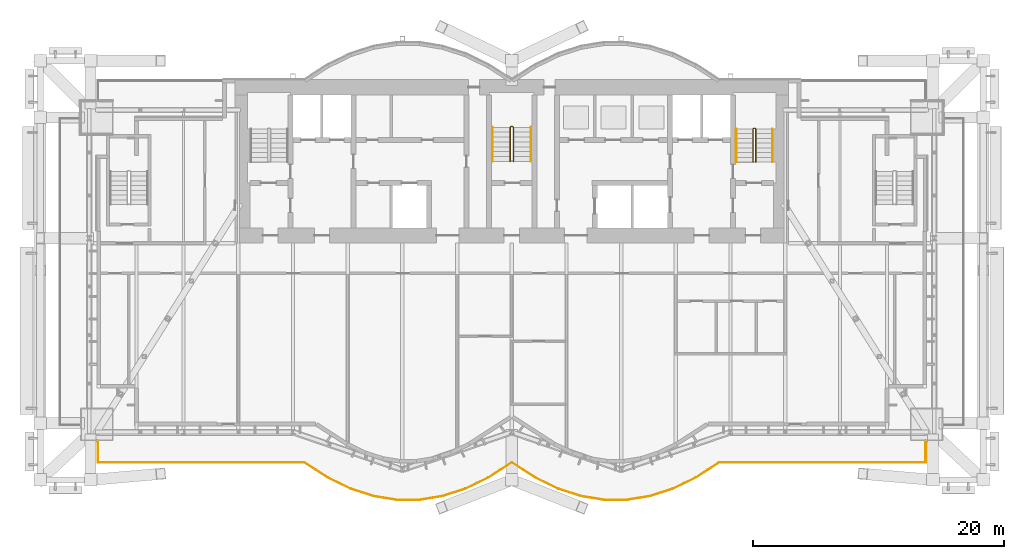
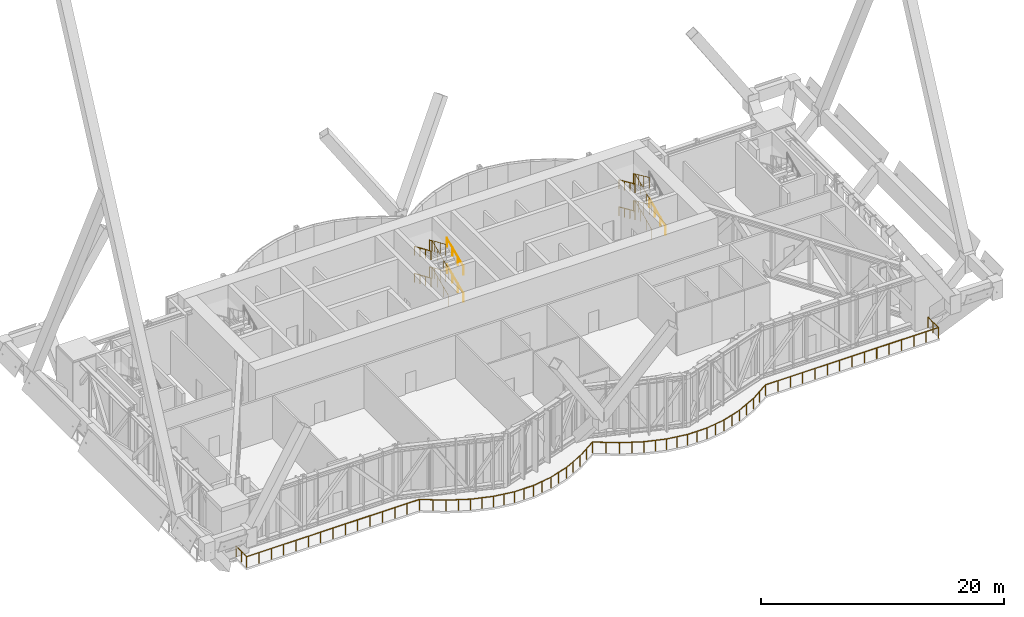
# One storey, part 29 of 31: 12 railings.
"""IFC4 building model written with IfcOpenShell, lengths in metres."""

from ifc_helpers import new_model, si_unit, direction, frame, origin, origin_2d, place, context, subcontext, project, spatial, circle, extrude, material, type_object, element, save


model = new_model("IFC4")

# Units and contexts
model_context = context("Model", 3, precision=1e-05, world=origin(), true_north=direction((0.0, 1.0)))
body_context = subcontext(model_context, "Body", "Model", "MODEL_VIEW")
ifc_project = project(units=[si_unit("LENGTHUNIT", "METRE"), si_unit("AREAUNIT", "SQUARE_METRE"), si_unit("VOLUMEUNIT", "CUBIC_METRE"), si_unit("PLANEANGLEUNIT", "RADIAN"), si_unit("MASSUNIT", "GRAM", prefix="KILO")], contexts=[model_context])

# Site, building, storey
site_placement = place(None, origin())
site = spatial("IfcSite", under=ifc_project, at=site_placement, CompositionType="ELEMENT")
building_placement = place(site_placement, origin())
building = spatial("IfcBuilding", under=site, at=building_placement, Name="Bicima Exchange Tower", CompositionType="ELEMENT")
storey_placement = place(building_placement, frame((0.0, 0.0, 236.0)))
storey = spatial("IfcBuildingStorey", under=building, at=storey_placement, Name="L53", CompositionType="ELEMENT", Elevation=236.0)

# Railings
ifc_material_1 = material(Name="Stainless steel", Category="steel")
railing_type_1 = type_object("IfcRailingType", Name="Stair guard 1100", PredefinedType="GUARDRAIL", material=ifc_material_1)
railing_1_placement = place(storey_placement, frame((0.125, -6.5, 0.168701171875)))
element("IfcRailing", 1, at=railing_1_placement, inside=storey, type_object=railing_type_1, Name="L53 ST-C stair guard 1", PredefinedType="GUARDRAIL", context=body_context, shape_type="SweptSolid", body=[
    extrude(circle(Radius=0.02392578125, at=origin_2d()), frame((0.0, 0.0, 1.076171875), z_axis=(0.0, 0.917217895875, 0.398385907741), x_axis=(-1.0, 0.0, 0.0)), (0.0, 0.0, 1.0), 2.965576171875),
    extrude(circle(Radius=0.02392578125, at=origin_2d()), frame((0.0, 2.719970703125, 2.25732421875), z_axis=(-0.707106781187, 0.707106781187, 0.0), x_axis=(-0.707106781187, -0.707106781187, 0.0)), (0.0, 0.0, 1.0), 0.07080078125),
    extrude(circle(Radius=0.02392578125, at=origin_2d()), frame((-0.050048828125, 2.77001953125, 2.25732421875), z_axis=(-1.0, 0.0, 0.0), x_axis=(0.0, -1.0, 0.0)), (0.0, 0.0, 1.0), 0.14990234375),
    extrude(circle(Radius=0.02392578125, at=origin_2d()), frame((-0.199951171875, 2.77001953125, 2.25732421875), z_axis=(-0.273569069059, -0.273569069059, 0.922127935218), x_axis=(0.707106781187, -0.707106781187, 0.0)), (0.0, 0.0, 1.0), 0.182861328125),
    extrude(circle(Radius=0.02392578125, at=origin_2d()), frame((-0.25, 2.719970703125, 2.42626953125), z_axis=(0.0, -0.917247977502, 0.398316642595), x_axis=(1.0, 0.0, 0.0)), (0.0, 0.0, 1.0), 2.96533203125),
    extrude(circle(Radius=0.02099609375, at=origin_2d()), origin(), (0.0, 0.0, 1.0), 1.052001953125),
    extrude(circle(Radius=0.02099609375, at=origin_2d()), frame((0.0, 0.90673828125, 0.393798828125)), (0.0, 0.0, 1.0), 1.052001953125),
    extrude(circle(Radius=0.02099609375, at=origin_2d()), frame((0.0, 1.813232421875, 0.78759765625)), (0.0, 0.0, 1.0), 1.052001953125),
    extrude(circle(Radius=0.02099609375, at=origin_2d()), frame((0.0, 2.719970703125, 1.181396484375)), (0.0, 0.0, 1.0), 1.052001953125),
    extrude(circle(Radius=0.02099609375, at=origin_2d()), frame((-0.050048828125, 2.77001953125, 1.181396484375)), (0.0, 0.0, 1.0), 1.052001953125),
    extrude(circle(Radius=0.02099609375, at=origin_2d()), frame((-0.199951171875, 2.77001953125, 1.181396484375)), (0.0, 0.0, 1.0), 1.052001953125),
    extrude(circle(Radius=0.02099609375, at=origin_2d()), frame((-0.25, 2.719970703125, 1.35009765625)), (0.0, 0.0, 1.0), 1.052001953125),
    extrude(circle(Radius=0.02099609375, at=origin_2d()), frame((-0.25, 1.813232421875, 1.743896484375)), (0.0, 0.0, 1.0), 1.052001953125),
    extrude(circle(Radius=0.02099609375, at=origin_2d()), frame((-0.25, 0.90673828125, 2.137451171875)), (0.0, 0.0, 1.0), 1.052001953125),
    extrude(circle(Radius=0.02099609375, at=origin_2d()), frame((-0.25, 0.0, 2.53125)), (0.0, 0.0, 1.0), 1.052001953125),
])
railing_2_placement = place(storey_placement, frame((0.125, -6.5, 2.86865234375)))
element("IfcRailing", 2, at=railing_2_placement, inside=storey, type_object=railing_type_1, Name="L53 ST-C stair guard 2", PredefinedType="GUARDRAIL", context=body_context, shape_type="SweptSolid", body=[
    extrude(circle(Radius=0.02392578125, at=origin_2d()), frame((0.0, 0.0, 1.076171875), z_axis=(0.0, 0.917217895875, 0.398385907741), x_axis=(-1.0, 0.0, 0.0)), (0.0, 0.0, 1.0), 2.965576171875),
    extrude(circle(Radius=0.02392578125, at=origin_2d()), frame((0.0, 2.719970703125, 2.25732421875), z_axis=(-0.707106781187, 0.707106781187, 0.0), x_axis=(-0.707106781187, -0.707106781187, 0.0)), (0.0, 0.0, 1.0), 0.07080078125),
    extrude(circle(Radius=0.02392578125, at=origin_2d()), frame((-0.050048828125, 2.77001953125, 2.25732421875), z_axis=(-1.0, 0.0, 0.0), x_axis=(0.0, -1.0, 0.0)), (0.0, 0.0, 1.0), 0.14990234375),
    extrude(circle(Radius=0.02392578125, at=origin_2d()), frame((-0.199951171875, 2.77001953125, 2.25732421875), z_axis=(-0.273569069059, -0.273569069059, 0.922127935218), x_axis=(0.707106781187, -0.707106781187, 0.0)), (0.0, 0.0, 1.0), 0.182861328125),
    extrude(circle(Radius=0.02392578125, at=origin_2d()), frame((-0.25, 2.719970703125, 2.42626953125), z_axis=(0.0, -0.917247977502, 0.398316642595), x_axis=(1.0, 0.0, 0.0)), (0.0, 0.0, 1.0), 2.96533203125),
    extrude(circle(Radius=0.02099609375, at=origin_2d()), origin(), (0.0, 0.0, 1.0), 1.052001953125),
    extrude(circle(Radius=0.02099609375, at=origin_2d()), frame((0.0, 0.90673828125, 0.393798828125)), (0.0, 0.0, 1.0), 1.052001953125),
    extrude(circle(Radius=0.02099609375, at=origin_2d()), frame((0.0, 1.813232421875, 0.78759765625)), (0.0, 0.0, 1.0), 1.052001953125),
    extrude(circle(Radius=0.02099609375, at=origin_2d()), frame((0.0, 2.719970703125, 1.181396484375)), (0.0, 0.0, 1.0), 1.052001953125),
    extrude(circle(Radius=0.02099609375, at=origin_2d()), frame((-0.050048828125, 2.77001953125, 1.181396484375)), (0.0, 0.0, 1.0), 1.052001953125),
    extrude(circle(Radius=0.02099609375, at=origin_2d()), frame((-0.199951171875, 2.77001953125, 1.181396484375)), (0.0, 0.0, 1.0), 1.052001953125),
    extrude(circle(Radius=0.02099609375, at=origin_2d()), frame((-0.25, 2.719970703125, 1.35009765625)), (0.0, 0.0, 1.0), 1.052001953125),
    extrude(circle(Radius=0.02099609375, at=origin_2d()), frame((-0.25, 1.813232421875, 1.743896484375)), (0.0, 0.0, 1.0), 1.052001953125),
    extrude(circle(Radius=0.02099609375, at=origin_2d()), frame((-0.25, 0.90673828125, 2.137451171875)), (0.0, 0.0, 1.0), 1.052001953125),
    extrude(circle(Radius=0.02099609375, at=origin_2d()), frame((-0.25, 0.0, 2.53125)), (0.0, 0.0, 1.0), 1.052001953125),
])
railing_3_placement = place(storey_placement, frame((19.39990234375, -6.550048828125, 0.168701171875)))
element("IfcRailing", 3, at=railing_3_placement, inside=storey, type_object=railing_type_1, Name="L53 ST-E stair guard 1", PredefinedType="GUARDRAIL", context=body_context, shape_type="SweptSolid", body=[
    extrude(circle(Radius=0.02392578125, at=origin_2d()), frame((0.0, 0.0, 1.076171875), z_axis=(0.0, 0.912201722539, 0.409741403079), x_axis=(-1.0, 0.0, 0.0)), (0.0, 0.0, 1.0), 2.88330078125),
    extrude(circle(Radius=0.02392578125, at=origin_2d()), frame((0.0, 2.630126953125, 2.25732421875), z_axis=(-0.707106781187, 0.707106781187, 0.0), x_axis=(-0.707106781187, -0.707106781187, 0.0)), (0.0, 0.0, 1.0), 0.0703125),
    extrude(circle(Radius=0.02392578125, at=origin_2d()), frame((-0.0498046875, 2.679931640625, 2.25732421875), z_axis=(-1.0, 0.0, 0.0), x_axis=(0.0, -1.0, 0.0)), (0.0, 0.0, 1.0), 0.10009765625),
    extrude(circle(Radius=0.02392578125, at=origin_2d()), frame((-0.14990234375, 2.679931640625, 2.25732421875), z_axis=(-0.273668752699, -0.272333783174, 0.922463942026), x_axis=(0.705375805398, -0.708833529934, 0.0)), (0.0, 0.0, 1.0), 0.182861328125),
    extrude(circle(Radius=0.02392578125, at=origin_2d()), frame((-0.199951171875, 2.630126953125, 2.42626953125), z_axis=(0.0, -0.912233369549, 0.409670940488), x_axis=(1.0, 0.0, 0.0)), (0.0, 0.0, 1.0), 2.883056640625),
    extrude(circle(Radius=0.02099609375, at=origin_2d()), origin(), (0.0, 0.0, 1.0), 1.052001953125),
    extrude(circle(Radius=0.02099609375, at=origin_2d()), frame((0.0, 0.876708984375, 0.393798828125)), (0.0, 0.0, 1.0), 1.052001953125),
    extrude(circle(Radius=0.02099609375, at=origin_2d()), frame((0.0, 1.75341796875, 0.78759765625)), (0.0, 0.0, 1.0), 1.052001953125),
    extrude(circle(Radius=0.02099609375, at=origin_2d()), frame((0.0, 2.630126953125, 1.181396484375)), (0.0, 0.0, 1.0), 1.052001953125),
    extrude(circle(Radius=0.02099609375, at=origin_2d()), frame((-0.0498046875, 2.679931640625, 1.181396484375)), (0.0, 0.0, 1.0), 1.052001953125),
    extrude(circle(Radius=0.02099609375, at=origin_2d()), frame((-0.14990234375, 2.679931640625, 1.181396484375)), (0.0, 0.0, 1.0), 1.052001953125),
    extrude(circle(Radius=0.02099609375, at=origin_2d()), frame((-0.199951171875, 2.630126953125, 1.35009765625)), (0.0, 0.0, 1.0), 1.052001953125),
    extrude(circle(Radius=0.02099609375, at=origin_2d()), frame((-0.199951171875, 1.75341796875, 1.743896484375)), (0.0, 0.0, 1.0), 1.052001953125),
    extrude(circle(Radius=0.02099609375, at=origin_2d()), frame((-0.199951171875, 0.876708984375, 2.137451171875)), (0.0, 0.0, 1.0), 1.052001953125),
    extrude(circle(Radius=0.02099609375, at=origin_2d()), frame((-0.199951171875, 0.0, 2.53125)), (0.0, 0.0, 1.0), 1.052001953125),
])
railing_4_placement = place(storey_placement, frame((19.39990234375, -6.550048828125, 2.86865234375)))
element("IfcRailing", 4, at=railing_4_placement, inside=storey, type_object=railing_type_1, Name="L53 ST-E stair guard 2", PredefinedType="GUARDRAIL", context=body_context, shape_type="SweptSolid", body=[
    extrude(circle(Radius=0.02392578125, at=origin_2d()), frame((0.0, 0.0, 1.076171875), z_axis=(0.0, 0.912201722539, 0.409741403079), x_axis=(-1.0, 0.0, 0.0)), (0.0, 0.0, 1.0), 2.88330078125),
    extrude(circle(Radius=0.02392578125, at=origin_2d()), frame((0.0, 2.630126953125, 2.25732421875), z_axis=(-0.707106781187, 0.707106781187, 0.0), x_axis=(-0.707106781187, -0.707106781187, 0.0)), (0.0, 0.0, 1.0), 0.0703125),
    extrude(circle(Radius=0.02392578125, at=origin_2d()), frame((-0.0498046875, 2.679931640625, 2.25732421875), z_axis=(-1.0, 0.0, 0.0), x_axis=(0.0, -1.0, 0.0)), (0.0, 0.0, 1.0), 0.10009765625),
    extrude(circle(Radius=0.02392578125, at=origin_2d()), frame((-0.14990234375, 2.679931640625, 2.25732421875), z_axis=(-0.273668752699, -0.272333783174, 0.922463942026), x_axis=(0.705375805398, -0.708833529934, 0.0)), (0.0, 0.0, 1.0), 0.182861328125),
    extrude(circle(Radius=0.02392578125, at=origin_2d()), frame((-0.199951171875, 2.630126953125, 2.42626953125), z_axis=(0.0, -0.912233369549, 0.409670940488), x_axis=(1.0, 0.0, 0.0)), (0.0, 0.0, 1.0), 2.883056640625),
    extrude(circle(Radius=0.02099609375, at=origin_2d()), origin(), (0.0, 0.0, 1.0), 1.052001953125),
    extrude(circle(Radius=0.02099609375, at=origin_2d()), frame((0.0, 0.876708984375, 0.393798828125)), (0.0, 0.0, 1.0), 1.052001953125),
    extrude(circle(Radius=0.02099609375, at=origin_2d()), frame((0.0, 1.75341796875, 0.78759765625)), (0.0, 0.0, 1.0), 1.052001953125),
    extrude(circle(Radius=0.02099609375, at=origin_2d()), frame((0.0, 2.630126953125, 1.181396484375)), (0.0, 0.0, 1.0), 1.052001953125),
    extrude(circle(Radius=0.02099609375, at=origin_2d()), frame((-0.0498046875, 2.679931640625, 1.181396484375)), (0.0, 0.0, 1.0), 1.052001953125),
    extrude(circle(Radius=0.02099609375, at=origin_2d()), frame((-0.14990234375, 2.679931640625, 1.181396484375)), (0.0, 0.0, 1.0), 1.052001953125),
    extrude(circle(Radius=0.02099609375, at=origin_2d()), frame((-0.199951171875, 2.630126953125, 1.35009765625)), (0.0, 0.0, 1.0), 1.052001953125),
    extrude(circle(Radius=0.02099609375, at=origin_2d()), frame((-0.199951171875, 1.75341796875, 1.743896484375)), (0.0, 0.0, 1.0), 1.052001953125),
    extrude(circle(Radius=0.02099609375, at=origin_2d()), frame((-0.199951171875, 0.876708984375, 2.137451171875)), (0.0, 0.0, 1.0), 1.052001953125),
    extrude(circle(Radius=0.02099609375, at=origin_2d()), frame((-0.199951171875, 0.0, 2.53125)), (0.0, 0.0, 1.0), 1.052001953125),
])
railing_type_2 = type_object("IfcRailingType", Name="Stair handrail 900", PredefinedType="HANDRAIL", material=ifc_material_1)
railing_5_placement = place(storey_placement, frame((1.52490234375, -6.5, 0.168701171875)))
element("IfcRailing", 5, at=railing_5_placement, inside=storey, type_object=railing_type_2, Name="L53 ST-C stair handrail 1", PredefinedType="HANDRAIL", context=body_context, shape_type="SweptSolid", body=[
    extrude(circle(Radius=0.02392578125, at=origin_2d()), frame((0.0, 0.0, 0.8759765625), z_axis=(0.0, 0.917217895875, 0.398385907741), x_axis=(-1.0, 0.0, 0.0)), (0.0, 0.0, 1.0), 2.965576171875),
    extrude(circle(Radius=0.02099609375, at=origin_2d()), origin(), (0.0, 0.0, 1.0), 0.851806640625),
    extrude(circle(Radius=0.02099609375, at=origin_2d()), frame((0.0, 0.90673828125, 0.393798828125)), (0.0, 0.0, 1.0), 0.851806640625),
    extrude(circle(Radius=0.02099609375, at=origin_2d()), frame((0.0, 1.813232421875, 0.78759765625)), (0.0, 0.0, 1.0), 0.851806640625),
    extrude(circle(Radius=0.02099609375, at=origin_2d()), frame((0.0, 2.719970703125, 1.181396484375)), (0.0, 0.0, 1.0), 0.851806640625),
])
railing_6_placement = place(storey_placement, frame((-1.52490234375, -3.780029296875, 1.518798828125)))
element("IfcRailing", 6, at=railing_6_placement, inside=storey, type_object=railing_type_2, Name="L53 ST-C stair handrail 2", PredefinedType="HANDRAIL", context=body_context, shape_type="SweptSolid", body=[
    extrude(circle(Radius=0.02392578125, at=origin_2d()), frame((0.0, 0.0, 0.8759765625), z_axis=(0.0, -0.917247977502, 0.398316642595), x_axis=(1.0, 0.0, 0.0)), (0.0, 0.0, 1.0), 2.96533203125),
    extrude(circle(Radius=0.02099609375, at=origin_2d()), origin(), (0.0, 0.0, 1.0), 0.851806640625),
    extrude(circle(Radius=0.02099609375, at=origin_2d()), frame((0.0, -0.90673828125, 0.393798828125)), (0.0, 0.0, 1.0), 0.851806640625),
    extrude(circle(Radius=0.02099609375, at=origin_2d()), frame((0.0, -1.813232421875, 0.787353515625)), (0.0, 0.0, 1.0), 0.851806640625),
    extrude(circle(Radius=0.02099609375, at=origin_2d()), frame((0.0, -2.719970703125, 1.18115234375)), (0.0, 0.0, 1.0), 0.851806640625),
])
railing_7_placement = place(storey_placement, frame((1.52490234375, -6.5, 2.86865234375)))
element("IfcRailing", 7, at=railing_7_placement, inside=storey, type_object=railing_type_2, Name="L53 ST-C stair handrail 3", PredefinedType="HANDRAIL", context=body_context, shape_type="SweptSolid", body=[
    extrude(circle(Radius=0.02392578125, at=origin_2d()), frame((0.0, 0.0, 0.8759765625), z_axis=(0.0, 0.917217895875, 0.398385907741), x_axis=(-1.0, 0.0, 0.0)), (0.0, 0.0, 1.0), 2.965576171875),
    extrude(circle(Radius=0.02099609375, at=origin_2d()), origin(), (0.0, 0.0, 1.0), 0.851806640625),
    extrude(circle(Radius=0.02099609375, at=origin_2d()), frame((0.0, 0.90673828125, 0.393798828125)), (0.0, 0.0, 1.0), 0.851806640625),
    extrude(circle(Radius=0.02099609375, at=origin_2d()), frame((0.0, 1.813232421875, 0.78759765625)), (0.0, 0.0, 1.0), 0.851806640625),
    extrude(circle(Radius=0.02099609375, at=origin_2d()), frame((0.0, 2.719970703125, 1.181396484375)), (0.0, 0.0, 1.0), 0.851806640625),
])
railing_8_placement = place(storey_placement, frame((-1.52490234375, -3.780029296875, 4.241455078125)))
element("IfcRailing", 8, at=railing_8_placement, inside=storey, type_object=railing_type_2, Name="L53 ST-C stair handrail 4", PredefinedType="HANDRAIL", context=body_context, shape_type="SweptSolid", body=[
    extrude(circle(Radius=0.02392578125, at=origin_2d()), frame((0.0, 0.0, 0.8759765625), z_axis=(0.0, -0.917217895875, 0.398385907741), x_axis=(1.0, 0.0, 0.0)), (0.0, 0.0, 1.0), 2.965576171875),
    extrude(circle(Radius=0.02099609375, at=origin_2d()), origin(), (0.0, 0.0, 1.0), 0.851806640625),
    extrude(circle(Radius=0.02099609375, at=origin_2d()), frame((0.0, -0.90673828125, 0.393798828125)), (0.0, 0.0, 1.0), 0.851806640625),
    extrude(circle(Radius=0.02099609375, at=origin_2d()), frame((0.0, -1.813232421875, 0.78759765625)), (0.0, 0.0, 1.0), 0.851806640625),
    extrude(circle(Radius=0.02099609375, at=origin_2d()), frame((0.0, -2.719970703125, 1.181396484375)), (0.0, 0.0, 1.0), 0.851806640625),
])
railing_9_placement = place(storey_placement, frame((20.75, -6.550048828125, 0.168701171875)))
element("IfcRailing", 9, at=railing_9_placement, inside=storey, type_object=railing_type_2, Name="L53 ST-E stair handrail 1", PredefinedType="HANDRAIL", context=body_context, shape_type="SweptSolid", body=[
    extrude(circle(Radius=0.02392578125, at=origin_2d()), frame((0.0, 0.0, 0.8759765625), z_axis=(0.0, 0.912201722539, 0.409741403079), x_axis=(-1.0, 0.0, 0.0)), (0.0, 0.0, 1.0), 2.88330078125),
    extrude(circle(Radius=0.02099609375, at=origin_2d()), origin(), (0.0, 0.0, 1.0), 0.851806640625),
    extrude(circle(Radius=0.02099609375, at=origin_2d()), frame((0.0, 0.876708984375, 0.393798828125)), (0.0, 0.0, 1.0), 0.851806640625),
    extrude(circle(Radius=0.02099609375, at=origin_2d()), frame((0.0, 1.75341796875, 0.78759765625)), (0.0, 0.0, 1.0), 0.851806640625),
    extrude(circle(Radius=0.02099609375, at=origin_2d()), frame((0.0, 2.630126953125, 1.181396484375)), (0.0, 0.0, 1.0), 0.851806640625),
])
railing_10_placement = place(storey_placement, frame((17.85009765625, -3.919921875, 1.518798828125)))
element("IfcRailing", 10, at=railing_10_placement, inside=storey, type_object=railing_type_2, Name="L53 ST-E stair handrail 2", PredefinedType="HANDRAIL", context=body_context, shape_type="SweptSolid", body=[
    extrude(circle(Radius=0.02392578125, at=origin_2d()), frame((0.0, 0.0, 0.8759765625), z_axis=(0.0, -0.912233369549, 0.409670940488), x_axis=(1.0, 0.0, 0.0)), (0.0, 0.0, 1.0), 2.883056640625),
    extrude(circle(Radius=0.02099609375, at=origin_2d()), origin(), (0.0, 0.0, 1.0), 0.851806640625),
    extrude(circle(Radius=0.02099609375, at=origin_2d()), frame((0.0, -0.876708984375, 0.393798828125)), (0.0, 0.0, 1.0), 0.851806640625),
    extrude(circle(Radius=0.02099609375, at=origin_2d()), frame((0.0, -1.75341796875, 0.787353515625)), (0.0, 0.0, 1.0), 0.851806640625),
    extrude(circle(Radius=0.02099609375, at=origin_2d()), frame((0.0, -2.630126953125, 1.18115234375)), (0.0, 0.0, 1.0), 0.851806640625),
])
railing_11_placement = place(storey_placement, frame((17.85009765625, -3.919921875, 4.241455078125)))
element("IfcRailing", 11, at=railing_11_placement, inside=storey, type_object=railing_type_2, Name="L53 ST-E stair handrail 4", PredefinedType="HANDRAIL", context=body_context, shape_type="SweptSolid", body=[
    extrude(circle(Radius=0.02392578125, at=origin_2d()), frame((0.0, 0.0, 0.8759765625), z_axis=(0.0, -0.912201722539, 0.409741403079), x_axis=(1.0, 0.0, 0.0)), (0.0, 0.0, 1.0), 2.88330078125),
    extrude(circle(Radius=0.02099609375, at=origin_2d()), origin(), (0.0, 0.0, 1.0), 0.851806640625),
    extrude(circle(Radius=0.02099609375, at=origin_2d()), frame((0.0, -0.876708984375, 0.393798828125)), (0.0, 0.0, 1.0), 0.851806640625),
    extrude(circle(Radius=0.02099609375, at=origin_2d()), frame((0.0, -1.75341796875, 0.78759765625)), (0.0, 0.0, 1.0), 0.851806640625),
    extrude(circle(Radius=0.02099609375, at=origin_2d()), frame((0.0, -2.630126953125, 1.181396484375)), (0.0, 0.0, 1.0), 0.851806640625),
])
ifc_material_2 = material(Name="Stainless steel and bonded safety glass", Category="steel")
railing_type_3 = type_object("IfcRailingType", Name="Terrace guard 1100", PredefinedType="GUARDRAIL", material=ifc_material_2)
railing_12_placement = place(storey_placement, frame((32.919921875, -28.7099609375, 0.0)))
element("IfcRailing", 12, at=railing_12_placement, inside=storey, type_object=railing_type_3, Name="Terrace guard L53 5", PredefinedType="GUARDRAIL", context=body_context, shape_type="SweptSolid", body=[
    extrude(circle(Radius=0.02392578125, at=origin_2d()), frame((0.0, 0.0, 1.076171875), z_axis=(0.0, -1.0, 0.0), x_axis=(1.0, 0.0, 0.0)), (0.0, 0.0, 1.0), 1.741943359375),
    extrude(circle(Radius=0.02392578125, at=origin_2d()), frame((0.0, -1.741943359375, 1.076171875), z_axis=(-1.0, 0.0, 0.0), x_axis=(0.0, -1.0, 0.0)), (0.0, 0.0, 1.0), 16.443603515625),
    extrude(circle(Radius=0.02392578125, at=origin_2d()), frame((-16.443603515625, -1.741943359375, 1.076171875), z_axis=(-0.839730768212, -0.54300298058, 0.0), x_axis=(0.54300298058, -0.839730768212, 0.0)), (0.0, 0.0, 1.0), 2.20166015625),
    extrude(circle(Radius=0.02392578125, at=origin_2d()), frame((-18.29248046875, -2.9375, 1.076171875), z_axis=(-0.899828434483, -0.436243955253, 0.0), x_axis=(0.436243955253, -0.899828434483, 0.0)), (0.0, 0.0, 1.0), 2.027099609375),
    extrude(circle(Radius=0.02392578125, at=origin_2d()), frame((-20.116455078125, -3.82177734375, 1.076171875), z_axis=(-0.951549885168, -0.307494416268, 0.0), x_axis=(0.307494416268, -0.951549885168, 0.0)), (0.0, 0.0, 1.0), 1.9150390625),
    extrude(circle(Radius=0.02392578125, at=origin_2d()), frame((-21.938720703125, -4.41064453125, 1.076171875), z_axis=(-0.987176602657, -0.159631936552, 0.0), x_axis=(0.159631936552, -0.987176602657, 0.0)), (0.0, 0.0, 1.0), 1.844482421875),
    extrude(circle(Radius=0.02392578125, at=origin_2d()), frame((-23.759521484375, -4.705078125, 1.076171875), z_axis=(-1.0, 0.0, 0.0), x_axis=(0.0, -1.0, 0.0)), (0.0, 0.0, 1.0), 1.82080078125),
    extrude(circle(Radius=0.02392578125, at=origin_2d()), frame((-25.580322265625, -4.705078125, 1.076171875), z_axis=(-0.987176602657, 0.159631936552, 0.0), x_axis=(-0.159631936552, -0.987176602657, 0.0)), (0.0, 0.0, 1.0), 1.844482421875),
    extrude(circle(Radius=0.02392578125, at=origin_2d()), frame((-27.401123046875, -4.41064453125, 1.076171875), z_axis=(-0.951549885168, 0.307494416268, 0.0), x_axis=(-0.307494416268, -0.951549885168, 0.0)), (0.0, 0.0, 1.0), 1.9150390625),
    extrude(circle(Radius=0.02392578125, at=origin_2d()), frame((-29.223388671875, -3.82177734375, 1.076171875), z_axis=(-0.899828434483, 0.436243955253, 0.0), x_axis=(-0.436243955253, -0.899828434483, 0.0)), (0.0, 0.0, 1.0), 2.027099609375),
    extrude(circle(Radius=0.02392578125, at=origin_2d()), frame((-31.04736328125, -2.9375, 1.076171875), z_axis=(-0.839766911995, 0.542947081693, 0.0), x_axis=(-0.542947081693, -0.839766911995, 0.0)), (0.0, 0.0, 1.0), 2.229736328125),
    extrude(circle(Radius=0.02392578125, at=origin_2d()), frame((-32.919921875, -1.726806640625, 1.076171875), z_axis=(-0.839766911995, -0.542947081693, 0.0), x_axis=(0.542947081693, -0.839766911995, 0.0)), (0.0, 0.0, 1.0), 2.229736328125),
    extrude(circle(Radius=0.02392578125, at=origin_2d()), frame((-34.79248046875, -2.9375, 1.076171875), z_axis=(-0.899828434483, -0.436243955253, 0.0), x_axis=(0.436243955253, -0.899828434483, 0.0)), (0.0, 0.0, 1.0), 2.027099609375),
    extrude(circle(Radius=0.02392578125, at=origin_2d()), frame((-36.616455078125, -3.82177734375, 1.076171875), z_axis=(-0.951549885168, -0.307494416268, 0.0), x_axis=(0.307494416268, -0.951549885168, 0.0)), (0.0, 0.0, 1.0), 1.9150390625),
    extrude(circle(Radius=0.02392578125, at=origin_2d()), frame((-38.438720703125, -4.41064453125, 1.076171875), z_axis=(-0.987176602657, -0.159631936552, 0.0), x_axis=(0.159631936552, -0.987176602657, 0.0)), (0.0, 0.0, 1.0), 1.844482421875),
    extrude(circle(Radius=0.02392578125, at=origin_2d()), frame((-40.259521484375, -4.705078125, 1.076171875), z_axis=(-1.0, 0.0, 0.0), x_axis=(0.0, -1.0, 0.0)), (0.0, 0.0, 1.0), 1.82080078125),
    extrude(circle(Radius=0.02392578125, at=origin_2d()), frame((-42.080322265625, -4.705078125, 1.076171875), z_axis=(-0.987176602657, 0.159631936552, 0.0), x_axis=(-0.159631936552, -0.987176602657, 0.0)), (0.0, 0.0, 1.0), 1.844482421875),
    extrude(circle(Radius=0.02392578125, at=origin_2d()), frame((-43.901123046875, -4.41064453125, 1.076171875), z_axis=(-0.951549885168, 0.307494416268, 0.0), x_axis=(-0.307494416268, -0.951549885168, 0.0)), (0.0, 0.0, 1.0), 1.9150390625),
    extrude(circle(Radius=0.02392578125, at=origin_2d()), frame((-45.723388671875, -3.82177734375, 1.076171875), z_axis=(-0.899828434483, 0.436243955253, 0.0), x_axis=(-0.436243955253, -0.899828434483, 0.0)), (0.0, 0.0, 1.0), 2.027099609375),
    extrude(circle(Radius=0.02392578125, at=origin_2d()), frame((-47.54736328125, -2.9375, 1.076171875), z_axis=(-0.839730768212, 0.54300298058, 0.0), x_axis=(-0.54300298058, -0.839730768212, 0.0)), (0.0, 0.0, 1.0), 2.20166015625),
    extrude(circle(Radius=0.02392578125, at=origin_2d()), frame((-49.396240234375, -1.741943359375, 1.076171875), z_axis=(-1.0, 0.0, 0.0), x_axis=(0.0, -1.0, 0.0)), (0.0, 0.0, 1.0), 16.443603515625),
    extrude(circle(Radius=0.02392578125, at=origin_2d()), frame((-65.83984375, -1.741943359375, 1.076171875), z_axis=(0.0, 1.0, 0.0), x_axis=(-1.0, 0.0, 0.0)), (0.0, 0.0, 1.0), 1.741943359375),
    extrude(circle(Radius=0.02099609375, at=origin_2d()), origin(), (0.0, 0.0, 1.0), 1.052001953125),
    extrude(circle(Radius=0.02099609375, at=origin_2d()), frame((0.0, -0.87109375, 0.0)), (0.0, 0.0, 1.0), 1.052001953125),
    extrude(circle(Radius=0.02099609375, at=origin_2d()), frame((0.0, -1.741943359375, 0.0)), (0.0, 0.0, 1.0), 1.052001953125),
    extrude(circle(Radius=0.02099609375, at=origin_2d()), frame((-1.174560546875, -1.741943359375, 0.0)), (0.0, 0.0, 1.0), 1.052001953125),
    extrude(circle(Radius=0.02099609375, at=origin_2d()), frame((-2.34912109375, -1.741943359375, 0.0)), (0.0, 0.0, 1.0), 1.052001953125),
    extrude(circle(Radius=0.02099609375, at=origin_2d()), frame((-3.523681640625, -1.741943359375, 0.0)), (0.0, 0.0, 1.0), 1.052001953125),
    extrude(circle(Radius=0.02099609375, at=origin_2d()), frame((-4.6982421875, -1.741943359375, 0.0)), (0.0, 0.0, 1.0), 1.052001953125),
    extrude(circle(Radius=0.02099609375, at=origin_2d()), frame((-5.872802734375, -1.741943359375, 0.0)), (0.0, 0.0, 1.0), 1.052001953125),
    extrude(circle(Radius=0.02099609375, at=origin_2d()), frame((-7.04736328125, -1.741943359375, 0.0)), (0.0, 0.0, 1.0), 1.052001953125),
    extrude(circle(Radius=0.02099609375, at=origin_2d()), frame((-8.2216796875, -1.741943359375, 0.0)), (0.0, 0.0, 1.0), 1.052001953125),
    extrude(circle(Radius=0.02099609375, at=origin_2d()), frame((-9.396240234375, -1.741943359375, 0.0)), (0.0, 0.0, 1.0), 1.052001953125),
    extrude(circle(Radius=0.02099609375, at=origin_2d()), frame((-10.57080078125, -1.741943359375, 0.0)), (0.0, 0.0, 1.0), 1.052001953125),
    extrude(circle(Radius=0.02099609375, at=origin_2d()), frame((-11.745361328125, -1.741943359375, 0.0)), (0.0, 0.0, 1.0), 1.052001953125),
    extrude(circle(Radius=0.02099609375, at=origin_2d()), frame((-12.919921875, -1.741943359375, 0.0)), (0.0, 0.0, 1.0), 1.052001953125),
    extrude(circle(Radius=0.02099609375, at=origin_2d()), frame((-14.094482421875, -1.741943359375, 0.0)), (0.0, 0.0, 1.0), 1.052001953125),
    extrude(circle(Radius=0.02099609375, at=origin_2d()), frame((-15.26904296875, -1.741943359375, 0.0)), (0.0, 0.0, 1.0), 1.052001953125),
    extrude(circle(Radius=0.02099609375, at=origin_2d()), frame((-16.443603515625, -1.741943359375, 0.0)), (0.0, 0.0, 1.0), 1.052001953125),
    extrude(circle(Radius=0.02099609375, at=origin_2d()), frame((-17.3681640625, -2.33984375, 0.0)), (0.0, 0.0, 1.0), 1.052001953125),
    extrude(circle(Radius=0.02099609375, at=origin_2d()), frame((-18.29248046875, -2.9375, 0.0)), (0.0, 0.0, 1.0), 1.052001953125),
    extrude(circle(Radius=0.02099609375, at=origin_2d()), frame((-19.20458984375, -3.379638671875, 0.0)), (0.0, 0.0, 1.0), 1.052001953125),
    extrude(circle(Radius=0.02099609375, at=origin_2d()), frame((-20.116455078125, -3.82177734375, 0.0)), (0.0, 0.0, 1.0), 1.052001953125),
    extrude(circle(Radius=0.02099609375, at=origin_2d()), frame((-21.027587890625, -4.1162109375, 0.0)), (0.0, 0.0, 1.0), 1.052001953125),
    extrude(circle(Radius=0.02099609375, at=origin_2d()), frame((-21.938720703125, -4.41064453125, 0.0)), (0.0, 0.0, 1.0), 1.052001953125),
    extrude(circle(Radius=0.02099609375, at=origin_2d()), frame((-22.84912109375, -4.557861328125, 0.0)), (0.0, 0.0, 1.0), 1.052001953125),
    extrude(circle(Radius=0.02099609375, at=origin_2d()), frame((-23.759521484375, -4.705078125, 0.0)), (0.0, 0.0, 1.0), 1.052001953125),
    extrude(circle(Radius=0.02099609375, at=origin_2d()), frame((-24.669921875, -4.705078125, 0.0)), (0.0, 0.0, 1.0), 1.052001953125),
    extrude(circle(Radius=0.02099609375, at=origin_2d()), frame((-25.580322265625, -4.705078125, 0.0)), (0.0, 0.0, 1.0), 1.052001953125),
    extrude(circle(Radius=0.02099609375, at=origin_2d()), frame((-26.49072265625, -4.557861328125, 0.0)), (0.0, 0.0, 1.0), 1.052001953125),
    extrude(circle(Radius=0.02099609375, at=origin_2d()), frame((-27.401123046875, -4.41064453125, 0.0)), (0.0, 0.0, 1.0), 1.052001953125),
    extrude(circle(Radius=0.02099609375, at=origin_2d()), frame((-28.312255859375, -4.1162109375, 0.0)), (0.0, 0.0, 1.0), 1.052001953125),
    extrude(circle(Radius=0.02099609375, at=origin_2d()), frame((-29.223388671875, -3.82177734375, 0.0)), (0.0, 0.0, 1.0), 1.052001953125),
    extrude(circle(Radius=0.02099609375, at=origin_2d()), frame((-30.13525390625, -3.379638671875, 0.0)), (0.0, 0.0, 1.0), 1.052001953125),
    extrude(circle(Radius=0.02099609375, at=origin_2d()), frame((-31.04736328125, -2.9375, 0.0)), (0.0, 0.0, 1.0), 1.052001953125),
    extrude(circle(Radius=0.02099609375, at=origin_2d()), frame((-31.983642578125, -2.33203125, 0.0)), (0.0, 0.0, 1.0), 1.052001953125),
    extrude(circle(Radius=0.02099609375, at=origin_2d()), frame((-32.919921875, -1.726806640625, 0.0)), (0.0, 0.0, 1.0), 1.052001953125),
    extrude(circle(Radius=0.02099609375, at=origin_2d()), frame((-33.856201171875, -2.33203125, 0.0)), (0.0, 0.0, 1.0), 1.052001953125),
    extrude(circle(Radius=0.02099609375, at=origin_2d()), frame((-34.79248046875, -2.9375, 0.0)), (0.0, 0.0, 1.0), 1.052001953125),
    extrude(circle(Radius=0.02099609375, at=origin_2d()), frame((-35.70458984375, -3.379638671875, 0.0)), (0.0, 0.0, 1.0), 1.052001953125),
    extrude(circle(Radius=0.02099609375, at=origin_2d()), frame((-36.616455078125, -3.82177734375, 0.0)), (0.0, 0.0, 1.0), 1.052001953125),
    extrude(circle(Radius=0.02099609375, at=origin_2d()), frame((-37.527587890625, -4.1162109375, 0.0)), (0.0, 0.0, 1.0), 1.052001953125),
    extrude(circle(Radius=0.02099609375, at=origin_2d()), frame((-38.438720703125, -4.41064453125, 0.0)), (0.0, 0.0, 1.0), 1.052001953125),
    extrude(circle(Radius=0.02099609375, at=origin_2d()), frame((-39.34912109375, -4.557861328125, 0.0)), (0.0, 0.0, 1.0), 1.052001953125),
    extrude(circle(Radius=0.02099609375, at=origin_2d()), frame((-40.259521484375, -4.705078125, 0.0)), (0.0, 0.0, 1.0), 1.052001953125),
    extrude(circle(Radius=0.02099609375, at=origin_2d()), frame((-41.169921875, -4.705078125, 0.0)), (0.0, 0.0, 1.0), 1.052001953125),
    extrude(circle(Radius=0.02099609375, at=origin_2d()), frame((-42.080322265625, -4.705078125, 0.0)), (0.0, 0.0, 1.0), 1.052001953125),
    extrude(circle(Radius=0.02099609375, at=origin_2d()), frame((-42.99072265625, -4.557861328125, 0.0)), (0.0, 0.0, 1.0), 1.052001953125),
    extrude(circle(Radius=0.02099609375, at=origin_2d()), frame((-43.901123046875, -4.41064453125, 0.0)), (0.0, 0.0, 1.0), 1.052001953125),
    extrude(circle(Radius=0.02099609375, at=origin_2d()), frame((-44.812255859375, -4.1162109375, 0.0)), (0.0, 0.0, 1.0), 1.052001953125),
    extrude(circle(Radius=0.02099609375, at=origin_2d()), frame((-45.723388671875, -3.82177734375, 0.0)), (0.0, 0.0, 1.0), 1.052001953125),
    extrude(circle(Radius=0.02099609375, at=origin_2d()), frame((-46.63525390625, -3.379638671875, 0.0)), (0.0, 0.0, 1.0), 1.052001953125),
    extrude(circle(Radius=0.02099609375, at=origin_2d()), frame((-47.54736328125, -2.9375, 0.0)), (0.0, 0.0, 1.0), 1.052001953125),
    extrude(circle(Radius=0.02099609375, at=origin_2d()), frame((-48.4716796875, -2.33984375, 0.0)), (0.0, 0.0, 1.0), 1.052001953125),
    extrude(circle(Radius=0.02099609375, at=origin_2d()), frame((-49.396240234375, -1.741943359375, 0.0)), (0.0, 0.0, 1.0), 1.052001953125),
    extrude(circle(Radius=0.02099609375, at=origin_2d()), frame((-50.57080078125, -1.741943359375, 0.0)), (0.0, 0.0, 1.0), 1.052001953125),
    extrude(circle(Radius=0.02099609375, at=origin_2d()), frame((-51.745361328125, -1.741943359375, 0.0)), (0.0, 0.0, 1.0), 1.052001953125),
    extrude(circle(Radius=0.02099609375, at=origin_2d()), frame((-52.919921875, -1.741943359375, 0.0)), (0.0, 0.0, 1.0), 1.052001953125),
    extrude(circle(Radius=0.02099609375, at=origin_2d()), frame((-54.094482421875, -1.741943359375, 0.0)), (0.0, 0.0, 1.0), 1.052001953125),
    extrude(circle(Radius=0.02099609375, at=origin_2d()), frame((-55.26904296875, -1.741943359375, 0.0)), (0.0, 0.0, 1.0), 1.052001953125),
    extrude(circle(Radius=0.02099609375, at=origin_2d()), frame((-56.443603515625, -1.741943359375, 0.0)), (0.0, 0.0, 1.0), 1.052001953125),
    extrude(circle(Radius=0.02099609375, at=origin_2d()), frame((-57.6181640625, -1.741943359375, 0.0)), (0.0, 0.0, 1.0), 1.052001953125),
    extrude(circle(Radius=0.02099609375, at=origin_2d()), frame((-58.79248046875, -1.741943359375, 0.0)), (0.0, 0.0, 1.0), 1.052001953125),
    extrude(circle(Radius=0.02099609375, at=origin_2d()), frame((-59.967041015625, -1.741943359375, 0.0)), (0.0, 0.0, 1.0), 1.052001953125),
    extrude(circle(Radius=0.02099609375, at=origin_2d()), frame((-61.1416015625, -1.741943359375, 0.0)), (0.0, 0.0, 1.0), 1.052001953125),
    extrude(circle(Radius=0.02099609375, at=origin_2d()), frame((-62.316162109375, -1.741943359375, 0.0)), (0.0, 0.0, 1.0), 1.052001953125),
    extrude(circle(Radius=0.02099609375, at=origin_2d()), frame((-63.49072265625, -1.741943359375, 0.0)), (0.0, 0.0, 1.0), 1.052001953125),
    extrude(circle(Radius=0.02099609375, at=origin_2d()), frame((-64.665283203125, -1.741943359375, 0.0)), (0.0, 0.0, 1.0), 1.052001953125),
    extrude(circle(Radius=0.02099609375, at=origin_2d()), frame((-65.83984375, -1.741943359375, 0.0)), (0.0, 0.0, 1.0), 1.052001953125),
    extrude(circle(Radius=0.02099609375, at=origin_2d()), frame((-65.83984375, -0.87109375, 0.0)), (0.0, 0.0, 1.0), 1.052001953125),
    extrude(circle(Radius=0.02099609375, at=origin_2d()), frame((-65.83984375, 0.0, 0.0)), (0.0, 0.0, 1.0), 1.052001953125),
])

save(model, "model.ifc")
